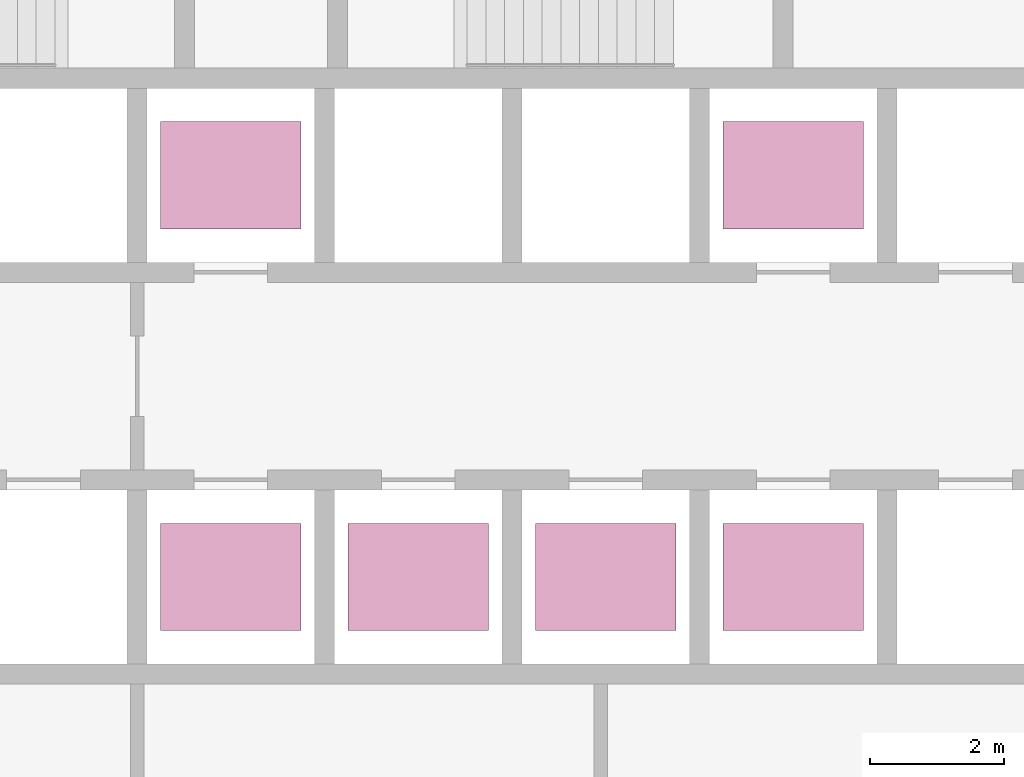
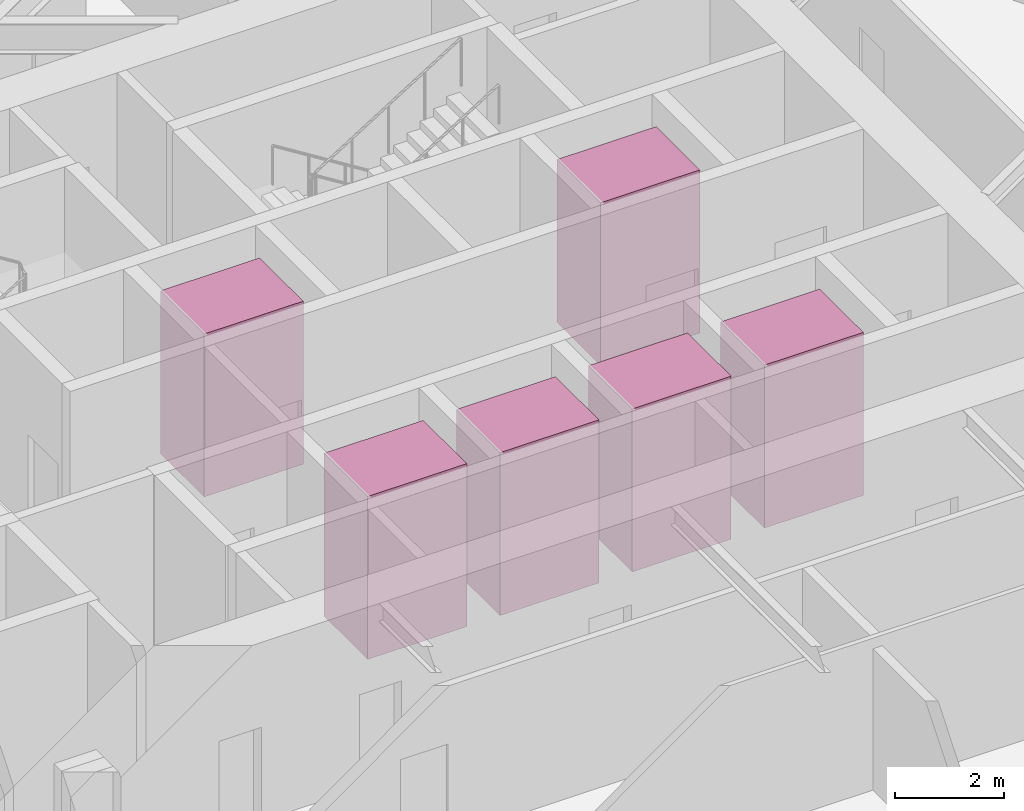
# One storey, part 22 of 22: 6 transport elements.
"""IFC4 building model written with IfcOpenShell, lengths in metres."""

from ifc_helpers import new_model, si_unit, direction, frame, origin, origin_2d, place, context, subcontext, project, spatial, rectangle, extrude, material, type_object, element, save


model = new_model("IFC4")

# Units and contexts
model_context = context("Model", 3, precision=1e-05, world=origin(), true_north=direction((0.0, 1.0)))
body_context = subcontext(model_context, "Body", "Model", "MODEL_VIEW")
ifc_project = project(units=[si_unit("LENGTHUNIT", "METRE"), si_unit("AREAUNIT", "SQUARE_METRE"), si_unit("VOLUMEUNIT", "CUBIC_METRE"), si_unit("PLANEANGLEUNIT", "RADIAN"), si_unit("MASSUNIT", "GRAM", prefix="KILO")], contexts=[model_context])

# Site, building, storey
site_placement = place(None, origin())
site = spatial("IfcSite", under=ifc_project, at=site_placement, CompositionType="ELEMENT")
building_placement = place(site_placement, origin())
building = spatial("IfcBuilding", under=site, at=building_placement, Name="Firuza Gate Tower and Library", CompositionType="ELEMENT")
storey_placement = place(building_placement, frame((0.0, 0.0, 128.199951171875)))
storey = spatial("IfcBuildingStorey", under=building, at=storey_placement, Name="L29", CompositionType="ELEMENT", Elevation=128.199951171875)

# Transport elements
ifc_material = material(Name="Stainless steel and glass", Category="steel")
transport_element_type = type_object("IfcTransportElementType", Name="Low-rise lift car 2100x1600", PredefinedType="ELEVATOR", material=ifc_material)
for number, where, z_axis, x_axis, name in (
    (1, (74.64990234375, 70.300048828125, 0.0), (0.0, 0.0, 1.0), (1.0, 0.0, 0.0), "Low-rise lift LR1"),
    (2, (77.449951171875, 70.300048828125, 0.0), (0.0, 0.0, 1.0), (1.0, 0.0, 0.0), "Low-rise lift LR2"),
    (3, (80.25, 70.300048828125, 0.0), (0.0, 0.0, 1.0), (1.0, 0.0, 0.0), "Low-rise lift LR3"),
    (4, (74.64990234375, 76.300048828125, 0.0), (0.0, 0.0, 1.0), (1.0, 0.0, 0.0), "Low-rise lift LR4"),
    (5, (83.050048828125, 70.300048828125, 0.0), (0.0, 0.0, 1.0), (1.0, 0.0, 0.0), "Low-rise lift LR5"),
    (6, (83.050048828125, 76.300048828125, 0.0), (0.0, 0.0, 1.0), (1.0, 0.0, 0.0), "Low-rise lift LR6"),
):
    element("IfcTransportElement", number, at=place(storey_placement, frame(where, z_axis=z_axis, x_axis=x_axis)), inside=storey, type_object=transport_element_type, Name=name, PredefinedType="ELEVATOR", context=body_context, shape_type="SweptSolid", body=[
        extrude(rectangle(XDim=2.10009765625, YDim=1.60009765625, at=origin_2d()), origin(), (0.0, 0.0, 1.0), 3.64990234375),
    ])

save(model, "model.ifc")
